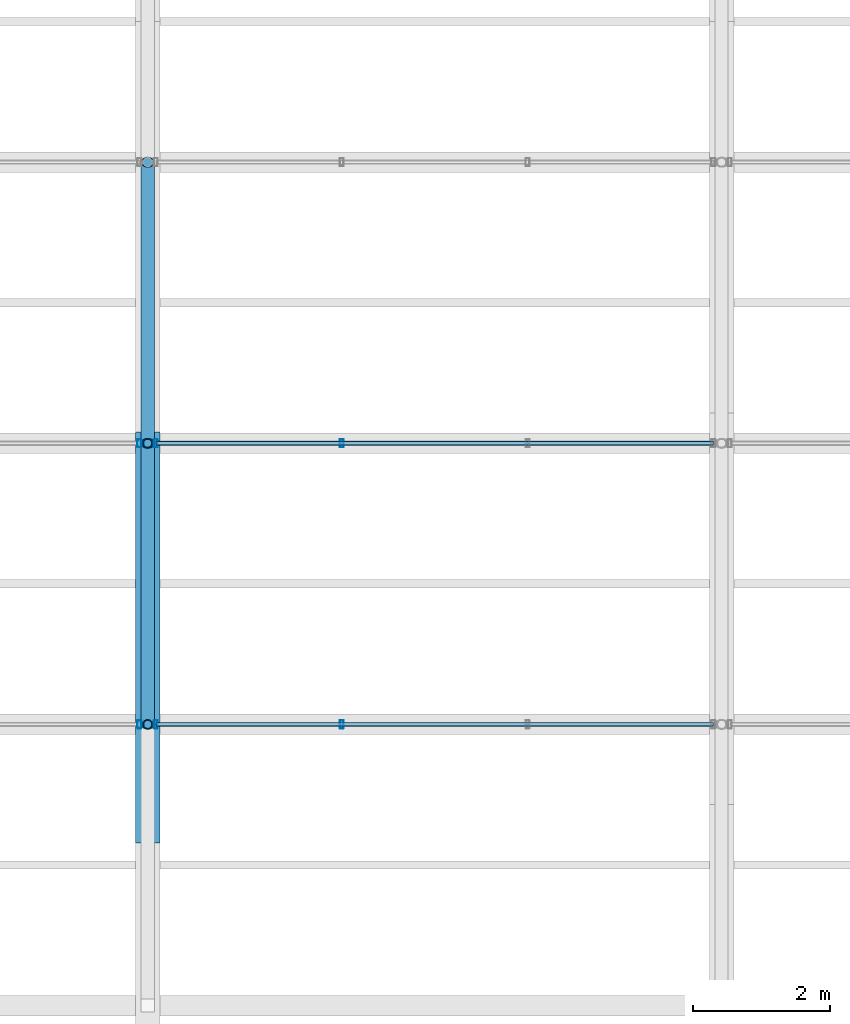
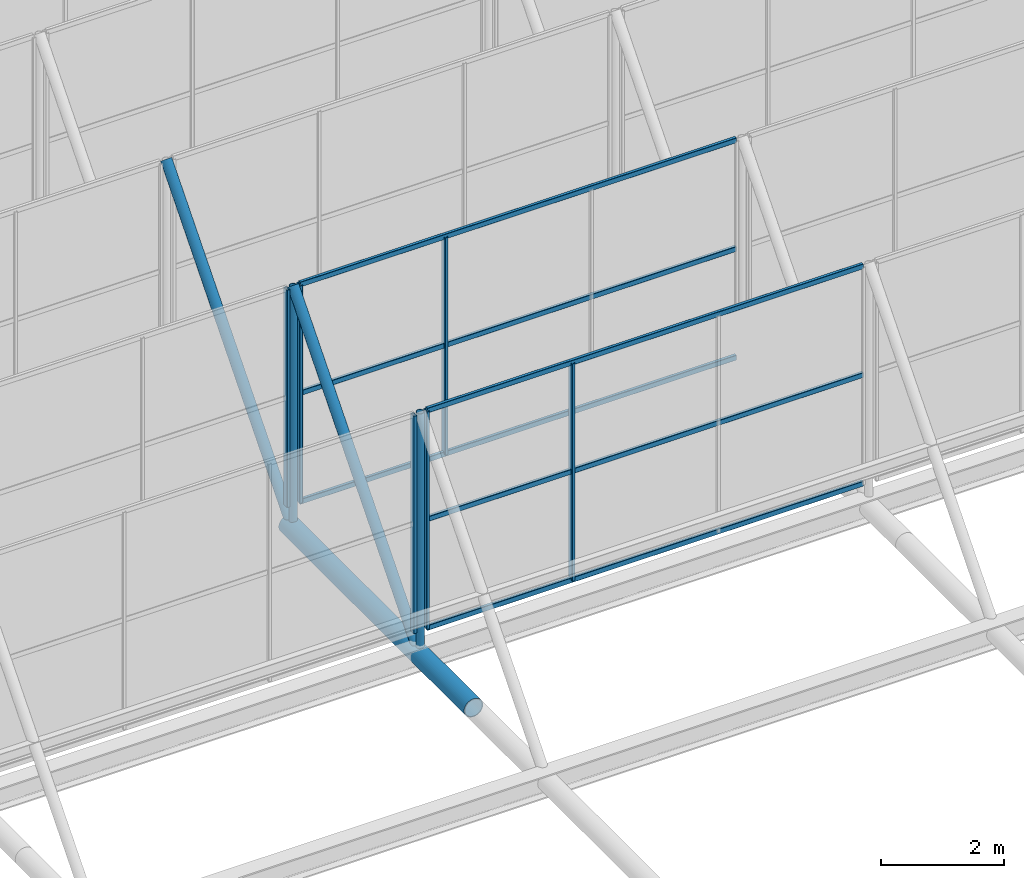
# One storey, part 15 of 77: 17 members, 4 elements without a shape of their own.
"""IFC4 building model written with IfcOpenShell, lengths in metres."""

import ifcopenshell
import ifcopenshell.guid

model = None  # the IFC model being written
_history = None  # IfcOwnerHistory: only IFC2X3 demands one
_inside = {}  # id of a spatial element -> (the spatial element, [elements in it])
_under = {}  # id of a project, library or spatial element -> (it, [spatial elements below it])
_declared = {}  # id of a project -> (the project, [libraries it declares])
_typed = {}  # id of a type object -> (the type object, [elements of that type])
_made_of = {}  # id of a material, layer set ... -> (it, [elements and type objects made of it])


def new_model(schema):
    """Start an empty IFC model of exactly this schema.

    Asked for "IFC4X3", IfcOpenShell would pick the latest addendum, in which some entities
    have other attributes; the version numbers below select the first issue.
    IFC2X3 requires an IfcOwnerHistory on every rooted entity: one is made here for all.
    """
    global model, _history
    if schema == "IFC4X3":
        model = ifcopenshell.file(schema_version=(4, 3, 0, 0))
    else:
        model = ifcopenshell.file(schema=schema)
    _inside.clear()
    _under.clear()
    _declared.clear()
    _typed.clear()
    _made_of.clear()
    _history = None
    if model.schema == "IFC2X3":
        org = make("IfcOrganization", Name="unknown")
        user = make(
            "IfcPersonAndOrganization",
            ThePerson=make("IfcPerson", FamilyName="unknown"),
            TheOrganization=org,
        )
        app = make(
            "IfcApplication",
            ApplicationDeveloper=org,
            Version="unknown",
            ApplicationFullName="unknown",
            ApplicationIdentifier="unknown",
        )
        _history = make(
            "IfcOwnerHistory",
            OwningUser=user,
            OwningApplication=app,
            ChangeAction="ADDED",
            CreationDate=0,
        )
    return model


def make(cls, **values):
    """One entity of the class cls with the attributes given. An attribute that is None is left unset."""
    return model.create_entity(
        cls, **{name: value for name, value in values.items() if value is not None}
    )


def rooted(cls, **values):
    """An entity with a GlobalId (a new one), such as an element, a storey or a relation."""
    return make(cls, GlobalId=ifcopenshell.guid.new(), OwnerHistory=_history, **values)


def si_unit(unit_type, name, prefix=None):
    """IfcSIUnit, for example si_unit("LENGTHUNIT", "METRE", prefix="MILLI")."""
    return make("IfcSIUnit", UnitType=unit_type, Prefix=prefix, Name=name)


def derived_unit(unit_type, elements):
    """IfcDerivedUnit: a product of units, each with its exponent."""
    return make(
        "IfcDerivedUnit",
        Elements=[
            make("IfcDerivedUnitElement", Unit=unit, Exponent=power)
            for unit, power in elements
        ],
        UnitType=unit_type,
    )


def assignment(units):
    """IfcUnitAssignment: the units of a project."""
    return None if units is None else make("IfcUnitAssignment", Units=units)


def point(xyz):
    """IfcCartesianPoint."""
    return None if xyz is None else make("IfcCartesianPoint", Coordinates=xyz)


def direction(xyz):
    """IfcDirection."""
    return None if xyz is None else make("IfcDirection", DirectionRatios=xyz)


def frame(location, z_axis=None, x_axis=None):
    """IfcAxis2Placement3D, a coordinate frame: its origin and axes. An axis left out is left unset."""
    return make(
        "IfcAxis2Placement3D",
        Location=point(location),
        Axis=direction(z_axis),
        RefDirection=direction(x_axis),
    )


def frame_2d(location, x_axis=None):
    """IfcAxis2Placement2D, a coordinate frame in the plane: its origin and x axis."""
    return make(
        "IfcAxis2Placement2D", Location=point(location), RefDirection=direction(x_axis)
    )


def origin():
    """The frame at (0, 0, 0) with its axes left unset."""
    return frame((0.0, 0.0, 0.0))


def origin_2d():
    """The frame at (0, 0) in the plane with its x axis left unset."""
    return frame_2d((0.0, 0.0))


def place(relative_to, where):
    """IfcLocalPlacement: puts the frame where relative to a parent placement (None: the world)."""
    return make(
        "IfcLocalPlacement", PlacementRelTo=relative_to, RelativePlacement=where
    )


def context(
    kind, dimensions, precision=None, world=None, true_north=None, identifier=None
):
    """IfcGeometricRepresentationContext, for example the 3D "Model" context."""
    return make(
        "IfcGeometricRepresentationContext",
        ContextIdentifier=identifier,
        ContextType=kind,
        CoordinateSpaceDimension=dimensions,
        Precision=precision,
        WorldCoordinateSystem=world,
        TrueNorth=true_north,
    )


def subcontext(parent, identifier, kind, view, scale=None):
    """IfcGeometricRepresentationSubContext, for example "Body" below "Model"."""
    return make(
        "IfcGeometricRepresentationSubContext",
        ContextIdentifier=identifier,
        ContextType=kind,
        ParentContext=parent,
        TargetScale=scale,
        TargetView=view,
    )


def project(units=None, contexts=None):
    """IfcProject with its units and contexts."""
    return rooted(
        "IfcProject",
        Name="project",
        RepresentationContexts=contexts,
        UnitsInContext=assignment(units),
    )


def spatial(cls, under=None, at=None, **own):
    """A site, building, storey or space (cls), placed at a placement, below another one or the project."""
    s = rooted(cls, ObjectPlacement=at, **own)
    if under is not None:
        _under.setdefault(under.id(), (under, []))[1].append(s)
    return s


def profile(cls, at=None, kind="AREA", **sizes):
    """A parametric profile (cls). Its sizes go by their IFC names, for example OverallWidth=200.0."""
    return make(cls, ProfileType=kind, Position=at, **sizes)


def hollow_rectangle(**sizes):
    """IfcRectangleHollowProfileDef."""
    return profile("IfcRectangleHollowProfileDef", **sizes)


def hollow_circle(**sizes):
    """IfcCircleHollowProfileDef."""
    return profile("IfcCircleHollowProfileDef", **sizes)


def extrude(swept, where, along, depth):
    """IfcExtrudedAreaSolid: the profile swept, set in the frame where, extruded along a direction by depth."""
    return make(
        "IfcExtrudedAreaSolid",
        SweptArea=swept,
        Position=where,
        ExtrudedDirection=direction(along),
        Depth=depth,
    )


def shape(context_of_items, identifier, shape_type, items):
    """IfcShapeRepresentation: the items that make up one representation, for example the "Body"."""
    return make(
        "IfcShapeRepresentation",
        ContextOfItems=context_of_items,
        RepresentationIdentifier=identifier,
        RepresentationType=shape_type,
        Items=items,
    )


def material(Name=None, Category=None):
    """IfcMaterial."""
    return make("IfcMaterial", Name=Name, Category=Category)


def material_profile(
    of_material, cross_section, Name=None, Category=None, Priority=None
):
    """IfcMaterialProfile: a cross section and its material."""
    return make(
        "IfcMaterialProfile",
        Name=Name,
        Material=of_material,
        Profile=cross_section,
        Priority=Priority,
        Category=Category,
    )


def profile_set(profiles, Name=None, composite=None):
    """IfcMaterialProfileSet."""
    return make(
        "IfcMaterialProfileSet",
        Name=Name,
        MaterialProfiles=profiles,
        CompositeProfile=composite,
    )


def made_of(thing, what):
    """Note that an element or type object is made of a material, layer set ...; save() writes the relation."""
    if what is not None:
        _made_of.setdefault(what.id(), (what, []))[1].append(thing)
    return thing


def type_object(cls, material=None, **own):
    """A type object (cls), such as IfcWallType, which elements share."""
    return made_of(rooted(cls, **own), material)


def element(
    cls,
    number,
    at=None,
    inside=None,
    cuts=None,
    type_object=None,
    material=None,
    context=None,
    identifier="Body",
    shape_type=None,
    held_by="IfcProductDefinitionShape",
    body=None,
    shapes=None,
    **own,
):
    """One element of the class cls, such as IfcWall. Its Tag is "e" and its number.

    at: its placement. inside: the storey or other place that contains it. cuts: it is an
    opening in that element (IfcRelVoidsElement). A single representation is given by context,
    identifier, shape_type and body (its items); several are given by shapes. held_by: the class
    of the entity that holds the representations. save() writes the other relations.
    """
    e = rooted(cls, Tag="e%d" % number, ObjectPlacement=at, **own)
    if body is not None:
        shapes = [shape(context, identifier, shape_type, body)]
    if shapes is not None:
        e.Representation = make(held_by, Representations=shapes)
    if inside is not None:
        _inside.setdefault(inside.id(), (inside, []))[1].append(e)
    if cuts is not None:
        rooted(
            "IfcRelVoidsElement", RelatingBuildingElement=cuts, RelatedOpeningElement=e
        )
    if type_object is not None:
        _typed.setdefault(type_object.id(), (type_object, []))[1].append(e)
    return made_of(e, material)


def aggregate(whole, parts):
    """IfcRelAggregates: a whole, such as a stair, and the parts it consists of."""
    return rooted("IfcRelAggregates", RelatingObject=whole, RelatedObjects=parts)


def save(model, path):
    """Write the relations noted so far, then the file.

    IfcRelAggregates (storeys below a building ...), IfcRelContainedInSpatialStructure (elements
    in a storey), IfcRelDefinesByType, IfcRelAssociatesMaterial and IfcRelDeclares: one each for
    every whole, place, type object, material and project.
    """
    for whole, parts in _under.values():
        aggregate(whole, parts)
    for where, things in _inside.values():
        rooted(
            "IfcRelContainedInSpatialStructure",
            RelatedElements=things,
            RelatingStructure=where,
        )
    for kind, things in _typed.values():
        rooted("IfcRelDefinesByType", RelatedObjects=things, RelatingType=kind)
    for what, things in _made_of.values():
        rooted("IfcRelAssociatesMaterial", RelatedObjects=things, RelatingMaterial=what)
    for by, libraries in _declared.values():
        rooted("IfcRelDeclares", RelatingContext=by, RelatedDefinitions=libraries)
    model.write(path)


model = new_model("IFC4")

# Units and contexts
model_context = context("Model", 3, precision=1e-05, world=origin(), true_north=direction((0.0, 1.0)))
body_context = subcontext(model_context, "Body", "Model", "MODEL_VIEW")
ifc_project = project(units=[si_unit("LENGTHUNIT", "METRE"), si_unit("AREAUNIT", "SQUARE_METRE"), si_unit("VOLUMEUNIT", "CUBIC_METRE"), si_unit("PLANEANGLEUNIT", "RADIAN"), si_unit("MASSUNIT", "GRAM", prefix="KILO"), derived_unit("THERMALTRANSMITTANCEUNIT", [(si_unit("MASSUNIT", "GRAM", prefix="KILO"), 1), (si_unit("TIMEUNIT", "SECOND"), -3), (si_unit("THERMODYNAMICTEMPERATUREUNIT", "KELVIN"), -1)])], contexts=[model_context])

# Site, building, storey
site_placement = place(None, origin())
site = spatial("IfcSite", under=ifc_project, at=site_placement, CompositionType="ELEMENT")
building_placement = place(site_placement, origin())
building = spatial("IfcBuilding", under=site, at=building_placement, Name="Kharveza Railside Sports Centre", CompositionType="ELEMENT")
storey_placement = place(building_placement, frame((0.0, 0.0, 17.10009765625)))
storey = spatial("IfcBuildingStorey", under=building, at=storey_placement, Name="L04", CompositionType="ELEMENT", Elevation=17.10009765625)

# Curtain wall, member
ifc_material_1 = material(Name="Low-E solar-control laminated glass", Category="glass")
curtain_wall_type = type_object("IfcCurtainWallType", Name="CW-NL01", PredefinedType="NOTDEFINED", material=ifc_material_1)
curtain_wall_1_placement = place(storey_placement, origin())
curtain_wall_1 = element("IfcCurtainWall", 1, at=curtain_wall_1_placement, inside=storey, type_object=curtain_wall_type, Name="CW-V1NL-1-3", PredefinedType="NOTDEFINED")
ifc_material_2 = material(Name="Anodised aluminium 6063-T6", Category="aluminium")
ifc_material_profile_1 = material_profile(ifc_material_2, hollow_rectangle(XDim=0.06005859375, YDim=0.1201171875, WallThickness=0.0048828125, InnerFilletRadius=0.0048828125, OuterFilletRadius=0.010009765625, at=origin_2d()), Name="RHS 60x120x5.0")
ifc_profile_set_1 = profile_set([ifc_material_profile_1], Name="Anodised aluminium 6063-T6")
member_type_1 = type_object("IfcMemberType", Name="CW-ML05", PredefinedType="MULLION", material=ifc_profile_set_1)
member_1_placement = place(storey_placement, frame((58.679931640625, 40.1142578125, -0.550048828125), z_axis=(0.0, 0.0, 1.0), x_axis=(1.0, 0.0, 0.0)))
member_1 = element("IfcMember", 2, at=member_1_placement, type_object=member_type_1, Name="CW-V1NL-1-3-ML4", PredefinedType="MULLION", context=body_context, shape_type="SweptSolid", body=[
    extrude(hollow_rectangle(XDim=0.06005859375, YDim=0.1201171875, WallThickness=0.0048828125, InnerFilletRadius=0.0048828125, OuterFilletRadius=0.010009765625, at=origin_2d()), origin(), (0.0, 0.0, 1.0), 4.300048828125),
])
aggregate(curtain_wall_1, [member_1])

# Curtain wall, members
curtain_wall_2_placement = place(storey_placement, origin())
curtain_wall_2 = element("IfcCurtainWall", 3, at=curtain_wall_2_placement, inside=storey, type_object=curtain_wall_type, Name="CW-V1NL-1-4", PredefinedType="NOTDEFINED")
member_2_placement = place(storey_placement, frame((58.919921875, 40.1142578125, -0.550048828125), z_axis=(0.0, 0.0, 1.0), x_axis=(1.0, 0.0, 0.0)))
member_2 = element("IfcMember", 4, at=member_2_placement, type_object=member_type_1, Name="CW-V1NL-1-4-ML1", PredefinedType="MULLION", context=body_context, shape_type="SweptSolid", body=[
    extrude(hollow_rectangle(XDim=0.06005859375, YDim=0.1201171875, WallThickness=0.0048828125, InnerFilletRadius=0.0048828125, OuterFilletRadius=0.010009765625, at=origin_2d()), origin(), (0.0, 0.0, 1.0), 4.300048828125),
])
member_3_placement = place(storey_placement, frame((61.639892578125, 40.1142578125, -0.550048828125), z_axis=(0.0, 0.0, 1.0), x_axis=(1.0, 0.0, 0.0)))
member_3 = element("IfcMember", 5, at=member_3_placement, type_object=member_type_1, Name="CW-V1NL-1-4-ML2", PredefinedType="MULLION", context=body_context, shape_type="SweptSolid", body=[
    extrude(hollow_rectangle(XDim=0.06005859375, YDim=0.1201171875, WallThickness=0.0048828125, InnerFilletRadius=0.0048828125, OuterFilletRadius=0.010009765625, at=origin_2d()), origin(), (0.0, 0.0, 1.0), 4.300048828125),
])

# Curtain wall, member
curtain_wall_3_placement = place(storey_placement, origin())
curtain_wall_3 = element("IfcCurtainWall", 6, at=curtain_wall_3_placement, inside=storey, type_object=curtain_wall_type, Name="CW-V1NL-2-3", PredefinedType="NOTDEFINED")
member_4_placement = place(storey_placement, frame((58.679931640625, 44.228515625, -0.550048828125), z_axis=(0.0, 0.0, 1.0), x_axis=(1.0, 0.0, 0.0)))
member_4 = element("IfcMember", 7, at=member_4_placement, type_object=member_type_1, Name="CW-V1NL-2-3-ML4", PredefinedType="MULLION", context=body_context, shape_type="SweptSolid", body=[
    extrude(hollow_rectangle(XDim=0.06005859375, YDim=0.1201171875, WallThickness=0.0048828125, InnerFilletRadius=0.0048828125, OuterFilletRadius=0.010009765625, at=origin_2d()), origin(), (0.0, 0.0, 1.0), 4.300048828125),
])
aggregate(curtain_wall_3, [member_4])

# Curtain wall, members
curtain_wall_4_placement = place(storey_placement, origin())
curtain_wall_4 = element("IfcCurtainWall", 8, at=curtain_wall_4_placement, inside=storey, type_object=curtain_wall_type, Name="CW-V1NL-2-4", PredefinedType="NOTDEFINED")
member_5_placement = place(storey_placement, frame((58.919921875, 44.228515625, -0.550048828125), z_axis=(0.0, 0.0, 1.0), x_axis=(1.0, 0.0, 0.0)))
member_5 = element("IfcMember", 9, at=member_5_placement, type_object=member_type_1, Name="CW-V1NL-2-4-ML1", PredefinedType="MULLION", context=body_context, shape_type="SweptSolid", body=[
    extrude(hollow_rectangle(XDim=0.06005859375, YDim=0.1201171875, WallThickness=0.0048828125, InnerFilletRadius=0.0048828125, OuterFilletRadius=0.010009765625, at=origin_2d()), origin(), (0.0, 0.0, 1.0), 4.300048828125),
])
member_6_placement = place(storey_placement, frame((61.639892578125, 44.228515625, -0.550048828125), z_axis=(0.0, 0.0, 1.0), x_axis=(1.0, 0.0, 0.0)))
member_6 = element("IfcMember", 10, at=member_6_placement, type_object=member_type_1, Name="CW-V1NL-2-4-ML2", PredefinedType="MULLION", context=body_context, shape_type="SweptSolid", body=[
    extrude(hollow_rectangle(XDim=0.06005859375, YDim=0.1201171875, WallThickness=0.0048828125, InnerFilletRadius=0.0048828125, OuterFilletRadius=0.010009765625, at=origin_2d()), origin(), (0.0, 0.0, 1.0), 4.300048828125),
])

# Member
ifc_material_profile_2 = material_profile(ifc_material_2, hollow_rectangle(XDim=0.06005859375, YDim=0.10009765625, WallThickness=0.00390625, InnerFilletRadius=0.00390625, OuterFilletRadius=0.008056640625, at=origin_2d()), Name="RHS 60x100x4.0")
ifc_profile_set_2 = profile_set([ifc_material_profile_2], Name="Anodised aluminium 6063-T6")
member_type_2 = type_object("IfcMemberType", Name="CW-TR05", PredefinedType="USERDEFINED", material=ifc_profile_set_2)
member_7_placement = place(storey_placement, frame((58.919921875, 40.1142578125, -0.550048828125), z_axis=(1.0, 0.0, 0.0), x_axis=(0.0, 1.0, 0.0)))
member_7 = element("IfcMember", 11, at=member_7_placement, type_object=member_type_2, Name="CW-V1NL-1-4-TR1", ObjectType="TRANSOM", PredefinedType="USERDEFINED", context=body_context, shape_type="SweptSolid", body=[
    extrude(hollow_rectangle(XDim=0.06005859375, YDim=0.10009765625, WallThickness=0.00390625, InnerFilletRadius=0.00390625, OuterFilletRadius=0.008056640625, at=origin_2d()), origin(), (0.0, 0.0, 1.0), 8.16015625),
])

member_8_placement = place(storey_placement, frame((58.919921875, 40.1142578125, 1.599853515625), z_axis=(1.0, 0.0, 0.0), x_axis=(0.0, 1.0, 0.0)))
member_8 = element("IfcMember", 12, at=member_8_placement, type_object=member_type_2, Name="CW-V1NL-1-4-TR2", ObjectType="TRANSOM", PredefinedType="USERDEFINED", context=body_context, shape_type="SweptSolid", body=[
    extrude(hollow_rectangle(XDim=0.06005859375, YDim=0.10009765625, WallThickness=0.00390625, InnerFilletRadius=0.00390625, OuterFilletRadius=0.008056640625, at=origin_2d()), origin(), (0.0, 0.0, 1.0), 8.16015625),
])

member_9_placement = place(storey_placement, frame((58.919921875, 40.1142578125, 3.75), z_axis=(1.0, 0.0, 0.0), x_axis=(0.0, 1.0, 0.0)))
member_9 = element("IfcMember", 13, at=member_9_placement, type_object=member_type_2, Name="CW-V1NL-1-4-TR3", ObjectType="TRANSOM", PredefinedType="USERDEFINED", context=body_context, shape_type="SweptSolid", body=[
    extrude(hollow_rectangle(XDim=0.06005859375, YDim=0.10009765625, WallThickness=0.00390625, InnerFilletRadius=0.00390625, OuterFilletRadius=0.008056640625, at=origin_2d()), origin(), (0.0, 0.0, 1.0), 8.16015625),
])

aggregate(curtain_wall_2, [member_2, member_3, member_7, member_8, member_9])

member_10_placement = place(storey_placement, frame((58.919921875, 44.228515625, -0.550048828125), z_axis=(1.0, 0.0, 0.0), x_axis=(0.0, 1.0, 0.0)))
member_10 = element("IfcMember", 14, at=member_10_placement, type_object=member_type_2, Name="CW-V1NL-2-4-TR1", ObjectType="TRANSOM", PredefinedType="USERDEFINED", context=body_context, shape_type="SweptSolid", body=[
    extrude(hollow_rectangle(XDim=0.06005859375, YDim=0.10009765625, WallThickness=0.00390625, InnerFilletRadius=0.00390625, OuterFilletRadius=0.008056640625, at=origin_2d()), origin(), (0.0, 0.0, 1.0), 8.16015625),
])

member_11_placement = place(storey_placement, frame((58.919921875, 44.228515625, 1.599853515625), z_axis=(1.0, 0.0, 0.0), x_axis=(0.0, 1.0, 0.0)))
member_11 = element("IfcMember", 15, at=member_11_placement, type_object=member_type_2, Name="CW-V1NL-2-4-TR2", ObjectType="TRANSOM", PredefinedType="USERDEFINED", context=body_context, shape_type="SweptSolid", body=[
    extrude(hollow_rectangle(XDim=0.06005859375, YDim=0.10009765625, WallThickness=0.00390625, InnerFilletRadius=0.00390625, OuterFilletRadius=0.008056640625, at=origin_2d()), origin(), (0.0, 0.0, 1.0), 8.16015625),
])

member_12_placement = place(storey_placement, frame((58.919921875, 44.228515625, 3.75), z_axis=(1.0, 0.0, 0.0), x_axis=(0.0, 1.0, 0.0)))
member_12 = element("IfcMember", 16, at=member_12_placement, type_object=member_type_2, Name="CW-V1NL-2-4-TR3", ObjectType="TRANSOM", PredefinedType="USERDEFINED", context=body_context, shape_type="SweptSolid", body=[
    extrude(hollow_rectangle(XDim=0.06005859375, YDim=0.10009765625, WallThickness=0.00390625, InnerFilletRadius=0.00390625, OuterFilletRadius=0.008056640625, at=origin_2d()), origin(), (0.0, 0.0, 1.0), 8.16015625),
])

aggregate(curtain_wall_4, [member_5, member_6, member_10, member_11, member_12])

# Members
ifc_material_3 = material(Name="Steel S355J2", Category="steel")
ifc_material_profile_3 = material_profile(ifc_material_3, hollow_circle(Radius=0.177734375, WallThickness=0.01611328125, at=origin_2d()), Name="CHS 355.6x16.0")
ifc_profile_set_3 = profile_set([ifc_material_profile_3], Name="Steel S355J2")
member_type_3 = type_object("IfcMemberType", Name="MB-CH01", PredefinedType="CHORD", material=ifc_profile_set_3)
member_13_placement = place(storey_placement, frame((58.800048828125, 38.380615234375, -1.050048828125), z_axis=(0.0, 1.0, 0.0), x_axis=(-1.0, 0.0, 0.0)))
element("IfcMember", 17, at=member_13_placement, inside=storey, type_object=member_type_3, Name="MB-V1TR-TC-4-3", PredefinedType="CHORD", context=body_context, shape_type="SweptSolid", body=[
    extrude(hollow_circle(Radius=0.177734375, WallThickness=0.01611328125, at=origin_2d()), origin(), (0.0, 0.0, 1.0), 6.009765625),
])
ifc_material_profile_4 = material_profile(ifc_material_3, hollow_circle(Radius=0.096923828125, WallThickness=0.010009765625, at=origin_2d()), Name="CHS 193.7x10.0")
ifc_profile_set_4 = profile_set([ifc_material_profile_4], Name="Steel S355J2")
member_type_4 = type_object("IfcMemberType", Name="MB-ST02", PredefinedType="STRUT", material=ifc_profile_set_4)
member_14_placement = place(storey_placement, frame((58.800048828125, 40.1142578125, -1.050048828125), z_axis=(0.0, 0.650003261435, 0.759931418039), x_axis=(-1.0, 0.0, 0.0)))
element("IfcMember", 18, at=member_14_placement, inside=storey, type_object=member_type_4, Name="MB-V1SAW-RFT-2-4", PredefinedType="STRUT", context=body_context, shape_type="SweptSolid", body=[
    extrude(hollow_circle(Radius=0.096923828125, WallThickness=0.010009765625, at=origin_2d()), origin(), (0.0, 0.0, 1.0), 6.32958984375),
])
member_15_placement = place(storey_placement, frame((58.800048828125, 44.228515625, -1.050048828125), z_axis=(0.0, 0.65002553535, 0.759912365601), x_axis=(-1.0, 0.0, 0.0)))
element("IfcMember", 19, at=member_15_placement, inside=storey, type_object=member_type_4, Name="MB-V1SAW-RFT-3-4", PredefinedType="STRUT", context=body_context, shape_type="SweptSolid", body=[
    extrude(hollow_circle(Radius=0.096923828125, WallThickness=0.010009765625, at=origin_2d()), origin(), (0.0, 0.0, 1.0), 6.329833984375),
])
ifc_material_profile_5 = material_profile(ifc_material_3, hollow_circle(Radius=0.06982421875, WallThickness=0.008056640625, at=origin_2d()), Name="CHS 139.7x8.0")
ifc_profile_set_5 = profile_set([ifc_material_profile_5], Name="Steel S355J2")
member_type_5 = type_object("IfcMemberType", Name="MB-ST04", PredefinedType="STRUT", material=ifc_profile_set_5)
for number, where, z_axis, x_axis, name in (
    (20, (58.800048828125, 40.1142578125, -1.050048828125), (0.0, 0.0, 1.0), (1.0, 0.0, 0.0), "MB-V1SAW-PST-1-4"),
    (21, (58.800048828125, 44.228515625, -1.050048828125), (0.0, 0.0, 1.0), (1.0, 0.0, 0.0), "MB-V1SAW-PST-2-4"),
):
    element("IfcMember", number, at=place(storey_placement, frame(where, z_axis=z_axis, x_axis=x_axis)), inside=storey, type_object=member_type_5, Name=name, PredefinedType="STRUT", context=body_context, shape_type="SweptSolid", body=[
        extrude(hollow_circle(Radius=0.06982421875, WallThickness=0.008056640625, at=origin_2d()), origin(), (0.0, 0.0, 1.0), 4.81005859375),
    ])

save(model, "model.ifc")
